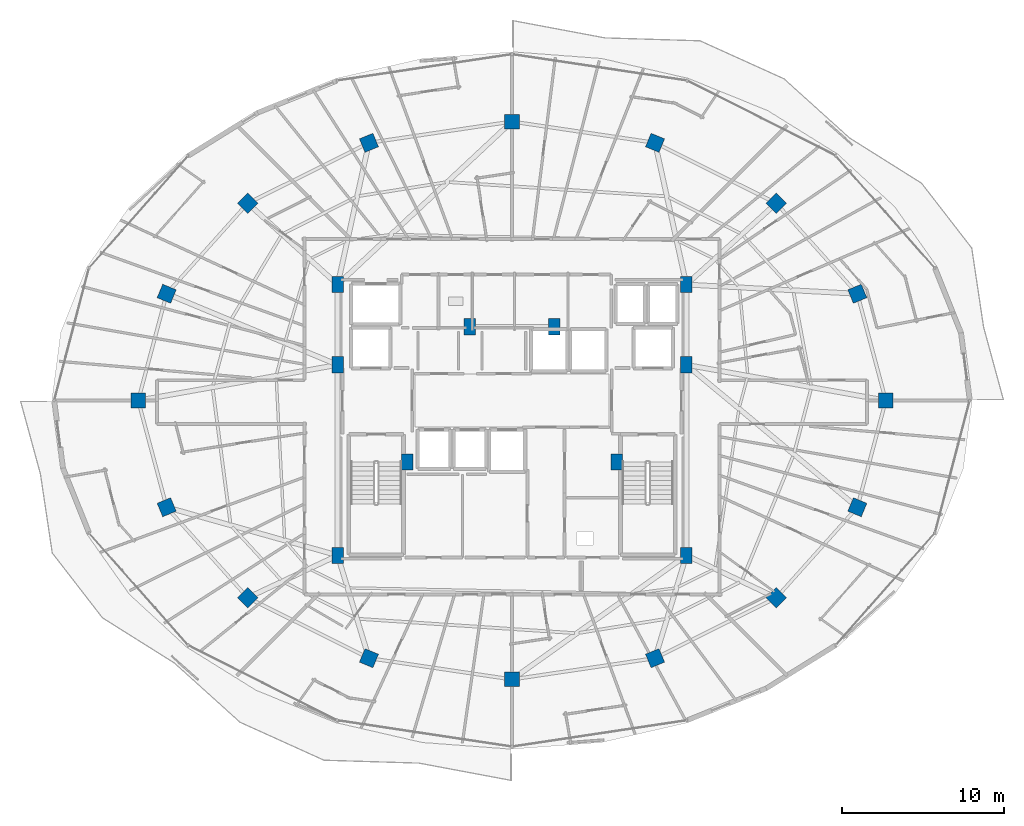
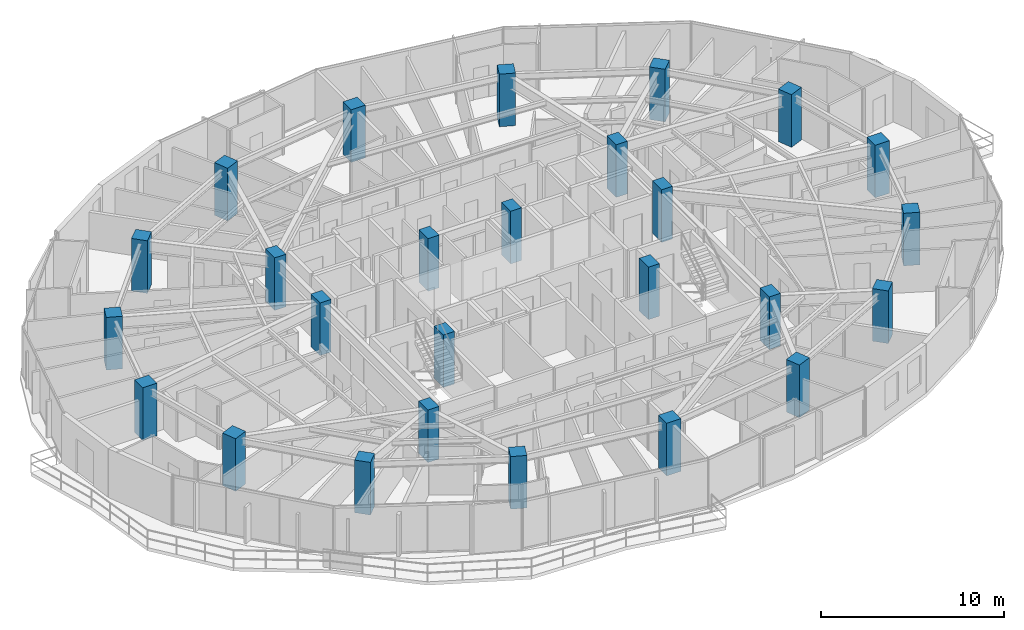
# One storey, part 1 of 34: 26 columns.
"""IFC4 building model written with IfcOpenShell, lengths in metres."""

from ifc_helpers import new_model, si_unit, direction, frame, origin, origin_2d, place, context, subcontext, project, spatial, rectangle, extrude, material, material_profile, profile_set, type_object, element, save


model = new_model("IFC4")

# Units and contexts
model_context = context("Model", 3, precision=1e-05, world=origin(), true_north=direction((0.0, 1.0)))
body_context = subcontext(model_context, "Body", "Model", "MODEL_VIEW")
ifc_project = project(units=[si_unit("LENGTHUNIT", "METRE"), si_unit("AREAUNIT", "SQUARE_METRE"), si_unit("VOLUMEUNIT", "CUBIC_METRE"), si_unit("PLANEANGLEUNIT", "RADIAN"), si_unit("MASSUNIT", "GRAM", prefix="KILO")], contexts=[model_context])

# Site, building, storey
site_placement = place(None, origin())
site = spatial("IfcSite", under=ifc_project, at=site_placement, CompositionType="ELEMENT")
building_placement = place(site_placement, origin())
building = spatial("IfcBuilding", under=site, at=building_placement, Name="Vorneva Point Tower", CompositionType="ELEMENT")
storey_placement = place(building_placement, frame((0.0, 0.0, 186.10009765625)))
storey = spatial("IfcBuildingStorey", under=building, at=storey_placement, Name="L50", CompositionType="ELEMENT", Elevation=186.10009765625)

# Columns
ifc_material = material(Name="Concrete B50 (C40/50)", Category="concrete")
ifc_material_profile_1 = material_profile(ifc_material, rectangle(XDim=0.89990234375, YDim=0.89990234375, at=origin_2d()), Name="RC-COL 900x900")
ifc_profile_set_1 = profile_set([ifc_material_profile_1], Name="Concrete B50 (C40/50)")
column_type_1 = type_object("IfcColumnType", Name="COL-RC900", PredefinedType="COLUMN", material=ifc_profile_set_1)
for number, where, z_axis, x_axis, name in (
    (1, (61.050048828125, 26.0, 0.0), (0.0, 0.0, 1.0), (1.0, 0.0, 0.0), "L50 Perimeter Column P01"),
    (2, (59.29541015625, 32.582275390625, 0.0), (0.0, 0.0, 1.0), (0.923879532511, 0.382683432365, 0.0), "L50 Perimeter Column P02"),
    (3, (54.298828125, 38.162109375, 0.0), (0.0, 0.0, 1.0), (0.707106781187, 0.707106781187, 0.0), "L50 Perimeter Column P03"),
    (4, (46.82080078125, 41.890625, 0.0), (0.0, 0.0, 1.0), (0.382683432365, 0.923879532511, 0.0), "L50 Perimeter Column P04"),
    (5, (38.0, 43.199951171875, 0.0), (0.0, 0.0, 1.0), (0.0, 1.0, 0.0), "L50 Perimeter Column P05"),
    (6, (29.17919921875, 41.890625, 0.0), (0.0, 0.0, 1.0), (-0.382683432365, 0.923879532511, 0.0), "L50 Perimeter Column P06"),
    (7, (21.701171875, 38.162109375, 0.0), (0.0, 0.0, 1.0), (-0.707106781187, 0.707106781187, 0.0), "L50 Perimeter Column P07"),
    (8, (16.70458984375, 32.582275390625, 0.0), (0.0, 0.0, 1.0), (-0.923879532511, 0.382683432365, 0.0), "L50 Perimeter Column P08"),
    (9, (14.949951171875, 26.0, 0.0), (0.0, 0.0, 1.0), (-1.0, 0.0, 0.0), "L50 Perimeter Column P09"),
    (10, (16.70458984375, 19.417724609375, 0.0), (0.0, 0.0, 1.0), (-0.923879532511, -0.382683432365, 0.0), "L50 Perimeter Column P10"),
    (11, (21.701171875, 13.837890625, 0.0), (0.0, 0.0, 1.0), (-0.707106781187, -0.707106781187, 0.0), "L50 Perimeter Column P11"),
    (12, (29.17919921875, 10.109375, 0.0), (0.0, 0.0, 1.0), (-0.382683432365, -0.923879532511, 0.0), "L50 Perimeter Column P12"),
    (13, (38.0, 8.800048828125, 0.0), (0.0, 0.0, 1.0), (0.0, -1.0, 0.0), "L50 Perimeter Column P13"),
    (14, (46.82080078125, 10.109375, 0.0), (0.0, 0.0, 1.0), (0.382683432365, -0.923879532511, 0.0), "L50 Perimeter Column P14"),
    (15, (54.298828125, 13.837890625, 0.0), (0.0, 0.0, 1.0), (0.707106781187, -0.707106781187, 0.0), "L50 Perimeter Column P15"),
    (16, (59.29541015625, 19.417724609375, 0.0), (0.0, 0.0, 1.0), (0.923879532511, -0.382683432365, 0.0), "L50 Perimeter Column P16"),
):
    element("IfcColumn", number, at=place(storey_placement, frame(where, z_axis=z_axis, x_axis=x_axis)), inside=storey, type_object=column_type_1, Name=name, PredefinedType="COLUMN", context=body_context, shape_type="SweptSolid", body=[
        extrude(rectangle(XDim=0.89990234375, YDim=0.89990234375, at=origin_2d()), origin(), (0.0, 0.0, 1.0), 3.5),
    ])
ifc_material_profile_2 = material_profile(ifc_material, rectangle(XDim=0.699951171875, YDim=1.0, at=origin_2d()), Name="RC-PIL 1000x700")
ifc_profile_set_2 = profile_set([ifc_material_profile_2], Name="Concrete B50 (C40/50)")
column_type_2 = type_object("IfcColumnType", Name="PIL-RC1000x700", PredefinedType="PILASTER", material=ifc_profile_set_2)
for number, where, z_axis, x_axis, name in (
    (17, (27.25, 16.449951171875, 0.0), (0.0, 0.0, 1.0), (1.0, 0.0, 0.0), "L50 Core Pilaster CP1"),
    (18, (27.25, 28.199951171875, 0.0), (0.0, 0.0, 1.0), (1.0, 0.0, 0.0), "L50 Core Pilaster CP2"),
    (19, (27.25, 33.14990234375, 0.0), (0.0, 0.0, 1.0), (1.0, 0.0, 0.0), "L50 Core Pilaster CP3"),
    (20, (31.550048828125, 22.199951171875, 0.0), (0.0, 0.0, 1.0), (1.0, 0.0, 0.0), "L50 Core Pilaster CP4"),
    (21, (48.75, 33.14990234375, 0.0), (0.0, 0.0, 1.0), (1.0, 0.0, 0.0), "L50 Core Pilaster CP5"),
    (22, (48.75, 28.199951171875, 0.0), (0.0, 0.0, 1.0), (1.0, 0.0, 0.0), "L50 Core Pilaster CP6"),
    (23, (48.75, 16.449951171875, 0.0), (0.0, 0.0, 1.0), (1.0, 0.0, 0.0), "L50 Core Pilaster CP7"),
    (24, (44.449951171875, 22.199951171875, 0.0), (0.0, 0.0, 1.0), (1.0, 0.0, 0.0), "L50 Core Pilaster CP8"),
    (25, (35.39990234375, 30.550048828125, 0.0), (0.0, 0.0, 1.0), (1.0, 0.0, 0.0), "L50 Core Pilaster CP9"),
    (26, (40.60009765625, 30.550048828125, 0.0), (0.0, 0.0, 1.0), (1.0, 0.0, 0.0), "L50 Core Pilaster CP10"),
):
    element("IfcColumn", number, at=place(storey_placement, frame(where, z_axis=z_axis, x_axis=x_axis)), inside=storey, type_object=column_type_2, Name=name, PredefinedType="PILASTER", context=body_context, shape_type="SweptSolid", body=[
        extrude(rectangle(XDim=0.699951171875, YDim=1.0, at=origin_2d()), origin(), (0.0, 0.0, 1.0), 3.5),
    ])

save(model, "model.ifc")
